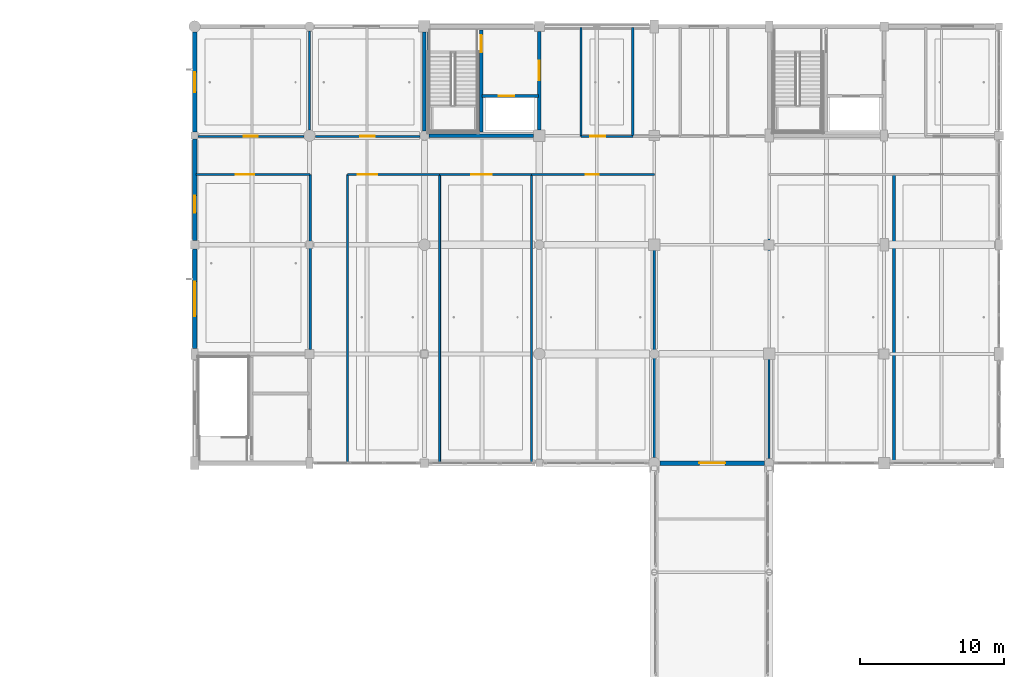
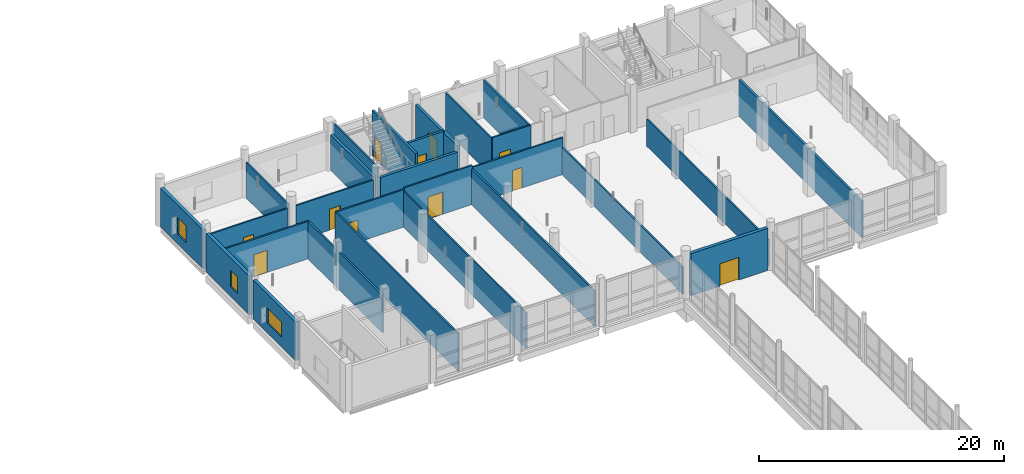
# One storey, part 94 of 147: 27 walls, 11 doors, 3 windows, 14 openings.
"""IFC4 building model written with IfcOpenShell, lengths in metres."""

import ifcopenshell
import ifcopenshell.guid

model = None  # the IFC model being written
_history = None  # IfcOwnerHistory: only IFC2X3 demands one
_inside = {}  # id of a spatial element -> (the spatial element, [elements in it])
_under = {}  # id of a project, library or spatial element -> (it, [spatial elements below it])
_declared = {}  # id of a project -> (the project, [libraries it declares])
_typed = {}  # id of a type object -> (the type object, [elements of that type])
_made_of = {}  # id of a material, layer set ... -> (it, [elements and type objects made of it])


def new_model(schema):
    """Start an empty IFC model of exactly this schema.

    Asked for "IFC4X3", IfcOpenShell would pick the latest addendum, in which some entities
    have other attributes; the version numbers below select the first issue.
    IFC2X3 requires an IfcOwnerHistory on every rooted entity: one is made here for all.
    """
    global model, _history
    if schema == "IFC4X3":
        model = ifcopenshell.file(schema_version=(4, 3, 0, 0))
    else:
        model = ifcopenshell.file(schema=schema)
    _inside.clear()
    _under.clear()
    _declared.clear()
    _typed.clear()
    _made_of.clear()
    _history = None
    if model.schema == "IFC2X3":
        org = make("IfcOrganization", Name="unknown")
        user = make(
            "IfcPersonAndOrganization",
            ThePerson=make("IfcPerson", FamilyName="unknown"),
            TheOrganization=org,
        )
        app = make(
            "IfcApplication",
            ApplicationDeveloper=org,
            Version="unknown",
            ApplicationFullName="unknown",
            ApplicationIdentifier="unknown",
        )
        _history = make(
            "IfcOwnerHistory",
            OwningUser=user,
            OwningApplication=app,
            ChangeAction="ADDED",
            CreationDate=0,
        )
    return model


def make(cls, **values):
    """One entity of the class cls with the attributes given. An attribute that is None is left unset."""
    return model.create_entity(
        cls, **{name: value for name, value in values.items() if value is not None}
    )


def rooted(cls, **values):
    """An entity with a GlobalId (a new one), such as an element, a storey or a relation."""
    return make(cls, GlobalId=ifcopenshell.guid.new(), OwnerHistory=_history, **values)


def si_unit(unit_type, name, prefix=None):
    """IfcSIUnit, for example si_unit("LENGTHUNIT", "METRE", prefix="MILLI")."""
    return make("IfcSIUnit", UnitType=unit_type, Prefix=prefix, Name=name)


def assignment(units):
    """IfcUnitAssignment: the units of a project."""
    return None if units is None else make("IfcUnitAssignment", Units=units)


def point(xyz):
    """IfcCartesianPoint."""
    return None if xyz is None else make("IfcCartesianPoint", Coordinates=xyz)


def direction(xyz):
    """IfcDirection."""
    return None if xyz is None else make("IfcDirection", DirectionRatios=xyz)


def frame(location, z_axis=None, x_axis=None):
    """IfcAxis2Placement3D, a coordinate frame: its origin and axes. An axis left out is left unset."""
    return make(
        "IfcAxis2Placement3D",
        Location=point(location),
        Axis=direction(z_axis),
        RefDirection=direction(x_axis),
    )


def frame_2d(location, x_axis=None):
    """IfcAxis2Placement2D, a coordinate frame in the plane: its origin and x axis."""
    return make(
        "IfcAxis2Placement2D", Location=point(location), RefDirection=direction(x_axis)
    )


def origin():
    """The frame at (0, 0, 0) with its axes left unset."""
    return frame((0.0, 0.0, 0.0))


def place(relative_to, where):
    """IfcLocalPlacement: puts the frame where relative to a parent placement (None: the world)."""
    return make(
        "IfcLocalPlacement", PlacementRelTo=relative_to, RelativePlacement=where
    )


def context(
    kind, dimensions, precision=None, world=None, true_north=None, identifier=None
):
    """IfcGeometricRepresentationContext, for example the 3D "Model" context."""
    return make(
        "IfcGeometricRepresentationContext",
        ContextIdentifier=identifier,
        ContextType=kind,
        CoordinateSpaceDimension=dimensions,
        Precision=precision,
        WorldCoordinateSystem=world,
        TrueNorth=true_north,
    )


def subcontext(parent, identifier, kind, view, scale=None):
    """IfcGeometricRepresentationSubContext, for example "Body" below "Model"."""
    return make(
        "IfcGeometricRepresentationSubContext",
        ContextIdentifier=identifier,
        ContextType=kind,
        ParentContext=parent,
        TargetScale=scale,
        TargetView=view,
    )


def project(units=None, contexts=None):
    """IfcProject with its units and contexts."""
    return rooted(
        "IfcProject",
        Name="project",
        RepresentationContexts=contexts,
        UnitsInContext=assignment(units),
    )


def spatial(cls, under=None, at=None, **own):
    """A site, building, storey or space (cls), placed at a placement, below another one or the project."""
    s = rooted(cls, ObjectPlacement=at, **own)
    if under is not None:
        _under.setdefault(under.id(), (under, []))[1].append(s)
    return s


def profile(cls, at=None, kind="AREA", **sizes):
    """A parametric profile (cls). Its sizes go by their IFC names, for example OverallWidth=200.0."""
    return make(cls, ProfileType=kind, Position=at, **sizes)


def rectangle(**sizes):
    """IfcRectangleProfileDef."""
    return profile("IfcRectangleProfileDef", **sizes)


def extrude(swept, where, along, depth):
    """IfcExtrudedAreaSolid: the profile swept, set in the frame where, extruded along a direction by depth."""
    return make(
        "IfcExtrudedAreaSolid",
        SweptArea=swept,
        Position=where,
        ExtrudedDirection=direction(along),
        Depth=depth,
    )


def shape(context_of_items, identifier, shape_type, items):
    """IfcShapeRepresentation: the items that make up one representation, for example the "Body"."""
    return make(
        "IfcShapeRepresentation",
        ContextOfItems=context_of_items,
        RepresentationIdentifier=identifier,
        RepresentationType=shape_type,
        Items=items,
    )


def material(Name=None, Category=None):
    """IfcMaterial."""
    return make("IfcMaterial", Name=Name, Category=Category)


def layer(
    of_material, thickness, ventilated=None, Name=None, Category=None, Priority=None
):
    """IfcMaterialLayer: one layer of a wall or slab, of a material (None: an air gap)."""
    return make(
        "IfcMaterialLayer",
        Material=of_material,
        LayerThickness=thickness,
        IsVentilated=ventilated,
        Name=Name,
        Category=Category,
        Priority=Priority,
    )


def layer_set(layers, Name=None):
    """IfcMaterialLayerSet."""
    return make("IfcMaterialLayerSet", MaterialLayers=layers, LayerSetName=Name)


def made_of(thing, what):
    """Note that an element or type object is made of a material, layer set ...; save() writes the relation."""
    if what is not None:
        _made_of.setdefault(what.id(), (what, []))[1].append(thing)
    return thing


def type_object(cls, material=None, **own):
    """A type object (cls), such as IfcWallType, which elements share."""
    return made_of(rooted(cls, **own), material)


def element(
    cls,
    number,
    at=None,
    inside=None,
    cuts=None,
    type_object=None,
    material=None,
    context=None,
    identifier="Body",
    shape_type=None,
    held_by="IfcProductDefinitionShape",
    body=None,
    shapes=None,
    **own,
):
    """One element of the class cls, such as IfcWall. Its Tag is "e" and its number.

    at: its placement. inside: the storey or other place that contains it. cuts: it is an
    opening in that element (IfcRelVoidsElement). A single representation is given by context,
    identifier, shape_type and body (its items); several are given by shapes. held_by: the class
    of the entity that holds the representations. save() writes the other relations.
    """
    e = rooted(cls, Tag="e%d" % number, ObjectPlacement=at, **own)
    if body is not None:
        shapes = [shape(context, identifier, shape_type, body)]
    if shapes is not None:
        e.Representation = make(held_by, Representations=shapes)
    if inside is not None:
        _inside.setdefault(inside.id(), (inside, []))[1].append(e)
    if cuts is not None:
        rooted(
            "IfcRelVoidsElement", RelatingBuildingElement=cuts, RelatedOpeningElement=e
        )
    if type_object is not None:
        _typed.setdefault(type_object.id(), (type_object, []))[1].append(e)
    return made_of(e, material)


def fill(opening, filler):
    """IfcRelFillsElement: the door or window that sits in an opening."""
    return rooted(
        "IfcRelFillsElement",
        RelatingOpeningElement=opening,
        RelatedBuildingElement=filler,
    )


def aggregate(whole, parts):
    """IfcRelAggregates: a whole, such as a stair, and the parts it consists of."""
    return rooted("IfcRelAggregates", RelatingObject=whole, RelatedObjects=parts)


def save(model, path):
    """Write the relations noted so far, then the file.

    IfcRelAggregates (storeys below a building ...), IfcRelContainedInSpatialStructure (elements
    in a storey), IfcRelDefinesByType, IfcRelAssociatesMaterial and IfcRelDeclares: one each for
    every whole, place, type object, material and project.
    """
    for whole, parts in _under.values():
        aggregate(whole, parts)
    for where, things in _inside.values():
        rooted(
            "IfcRelContainedInSpatialStructure",
            RelatedElements=things,
            RelatingStructure=where,
        )
    for kind, things in _typed.values():
        rooted("IfcRelDefinesByType", RelatedObjects=things, RelatingType=kind)
    for what, things in _made_of.values():
        rooted("IfcRelAssociatesMaterial", RelatedObjects=things, RelatingMaterial=what)
    for by, libraries in _declared.values():
        rooted("IfcRelDeclares", RelatingContext=by, RelatedDefinitions=libraries)
    model.write(path)


model = new_model("IFC4")

# Units and contexts
model_context = context("Model", 3, precision=1e-05, world=origin(), true_north=direction((0.0, 1.0)))
body_context = subcontext(model_context, "Body", "Model", "MODEL_VIEW")
ifc_project = project(units=[si_unit("LENGTHUNIT", "METRE"), si_unit("AREAUNIT", "SQUARE_METRE"), si_unit("VOLUMEUNIT", "CUBIC_METRE"), si_unit("PLANEANGLEUNIT", "RADIAN"), si_unit("MASSUNIT", "GRAM", prefix="KILO")], contexts=[model_context])

# Site, building, storey
site_placement = place(None, origin())
site = spatial("IfcSite", under=ifc_project, at=site_placement, CompositionType="ELEMENT")
building_placement = place(site_placement, origin())
building = spatial("IfcBuilding", under=site, at=building_placement, Name="Khelvaren Railside Concert Hall", CompositionType="ELEMENT")
storey_placement = place(building_placement, frame((0.0, 0.0, 5.39990234375)))
storey = spatial("IfcBuildingStorey", under=building, at=storey_placement, Name="L01", CompositionType="ELEMENT", Elevation=5.39990234375)

# Walls
ifc_material_1 = material(Name="Concrete C40/50", Category="concrete")
ifc_layer_1 = layer(ifc_material_1, 0.139892578125)
ifc_layer_set_1 = layer_set([ifc_layer_1], Name="Concrete C40/50")
wall_type_1 = type_object("IfcWallType", Name="CW17", PredefinedType="SOLIDWALL", material=ifc_layer_set_1)
wall_1_placement = place(storey_placement, frame((144.27490234375, 106.550048828125, 0.0), z_axis=(0.0, 0.0, 1.0), x_axis=(0.0, 1.0, 0.0)))
element("IfcWall", 1, at=wall_1_placement, inside=storey, type_object=wall_type_1, Name="Core Shaft Structural Liner Wall ST-09-L01", PredefinedType="SOLIDWALL", context=body_context, shape_type="SweptSolid", body=[
    extrude(rectangle(XDim=7.300048828125, YDim=0.139892578125, at=frame_2d((3.64990234375, 0.0))), origin(), (0.0, 0.0, 1.0), 4.510009765625),
])
ifc_layer_2 = layer(ifc_material_1, 0.25)
ifc_layer_set_2 = layer_set([ifc_layer_2], Name="Concrete C40/50")
wall_type_2 = type_object("IfcWallType", Name="CW82", PredefinedType="SOLIDWALL", material=ifc_layer_set_2)
wall_2_placement = place(storey_placement, frame((144.0, 106.72509765625, 0.0), z_axis=(0.0, 0.0, 1.0), x_axis=(0.0, 1.0, 0.0)))
element("IfcWall", 2, at=wall_2_placement, inside=storey, type_object=wall_type_2, Name="Core Enclosure Wall CWALL-ST-09-L01-W", PredefinedType="SOLIDWALL", context=body_context, shape_type="SweptSolid", body=[
    extrude(rectangle(XDim=6.875, YDim=0.25, at=frame_2d((3.4375, 0.0))), origin(), (0.0, 0.0, 1.0), 3.550048828125),
])
wall_3_placement = place(storey_placement, frame((144.324951171875, 106.39990234375, 0.0), z_axis=(0.0, 0.0, 1.0), x_axis=(1.0, 0.0, 0.0)))
element("IfcWall", 3, at=wall_3_placement, inside=storey, type_object=wall_type_2, Name="Core Enclosure Wall CWALL-ST-09-L01-S", PredefinedType="SOLIDWALL", context=body_context, shape_type="SweptSolid", body=[
    extrude(rectangle(XDim=7.275146484375, YDim=0.25, at=frame_2d((3.6376953125, 0.0))), origin(), (0.0, 0.0, 1.0), 3.550048828125),
])

# Wall, opening, door
wall_4_placement = place(storey_placement, frame((152.0, 106.800048828125, 0.0), z_axis=(0.0, 0.0, 1.0), x_axis=(0.0, 1.0, 0.0)))
wall_4 = element("IfcWall", 4, at=wall_4_placement, inside=storey, type_object=wall_type_2, Name="Core Enclosure Wall CWALL-ST-09-L01-E", PredefinedType="SOLIDWALL", context=body_context, shape_type="SweptSolid", body=[
    extrude(rectangle(XDim=6.849853515625, YDim=0.25, at=frame_2d((3.4248046875, 0.0))), origin(), (0.0, 0.0, 1.0), 3.735107421875),
])
opening_1_placement = place(wall_4_placement, frame((3.449951171875, 0.0, 0.0)))
opening_1 = element("IfcOpeningElement", 5, at=opening_1_placement, cuts=wall_4, Name="Opening FDR34", PredefinedType="OPENING", context=body_context, shape_type="SweptSolid", body=[
    extrude(rectangle(XDim=1.35009765625, YDim=2.199951171875, at=frame_2d((0.675048828125, 1.10009765625))), frame((0.0, 0.135009765625, 0.0), z_axis=(0.0, -1.0, 0.0), x_axis=(1.0, 0.0, 0.0)), (0.0, 0.0, 1.0), 0.27001953125),
])
ifc_material_2 = material(Name="Acoustic fire-rated timber-core steel frame door", Category="steel")
door_type_1 = type_object("IfcDoorType", Name="FDR34", OperationType="NOTDEFINED", PredefinedType="DOOR", material=ifc_material_2)
door_1_placement = place(opening_1_placement, origin())
door_1 = element("IfcDoor", 6, at=door_1_placement, inside=storey, type_object=door_type_1, Name="Interior Door DR-ST-09-L01-LOB", OperationType="SINGLE_SWING_LEFT", OverallHeight=2.199951171875, OverallWidth=1.35009765625, PredefinedType="DOOR", context=body_context, shape_type="SweptSolid", body=[
    extrude(rectangle(XDim=1.35009765625, YDim=2.199951171875, at=frame_2d((0.675048828125, 1.10009765625))), frame((0.0, 0.02490234375, 0.0), z_axis=(0.0, -1.0, 0.0), x_axis=(1.0, 0.0, 0.0)), (0.0, 0.0, 1.0), 0.050048828125),
])
fill(opening_1, door_1)

ifc_layer_3 = layer(ifc_material_1, 0.219970703125)
ifc_layer_set_3 = layer_set([ifc_layer_3], Name="Concrete C40/50")
wall_type_3 = type_object("IfcWallType", Name="CW97", PredefinedType="SOLIDWALL", material=ifc_layer_set_3)
wall_5_placement = place(storey_placement, frame((147.949951171875, 106.64990234375, 0.0), z_axis=(0.0, 0.0, 1.0), x_axis=(0.0, 1.0, 0.0)))
wall_5 = element("IfcWall", 7, at=wall_5_placement, inside=storey, type_object=wall_type_3, Name="Core Enclosure Wall CWALL-ST-09-L01-MID", PredefinedType="SOLIDWALL", context=body_context, shape_type="SweptSolid", body=[
    extrude(rectangle(XDim=7.10009765625, YDim=0.219970703125, at=frame_2d((3.550048828125, 0.0))), origin(), (0.0, 0.0, 1.0), 4.510009765625),
])
opening_2_placement = place(wall_5_placement, frame((5.550048828125, 0.0, 0.0)))
opening_2 = element("IfcOpeningElement", 8, at=opening_2_placement, cuts=wall_5, Name="Opening FDR17", PredefinedType="OPENING", context=body_context, shape_type="SweptSolid", body=[
    extrude(rectangle(XDim=1.199951171875, YDim=2.14990234375, at=frame_2d((0.60009765625, 1.074951171875))), frame((0.0, 0.119873046875, 0.0), z_axis=(0.0, -1.0, 0.0), x_axis=(1.0, 0.0, 0.0)), (0.0, 0.0, 1.0), 0.239990234375),
])
door_type_2 = type_object("IfcDoorType", Name="FDR17", OperationType="NOTDEFINED", PredefinedType="DOOR", material=ifc_material_2)
door_2_placement = place(opening_2_placement, origin())
door_2 = element("IfcDoor", 9, at=door_2_placement, inside=storey, type_object=door_type_2, Name="Interior Door DR-ST-09-L01-ST", OperationType="SINGLE_SWING_RIGHT", OverallHeight=2.14990234375, OverallWidth=1.199951171875, PredefinedType="DOOR", context=body_context, shape_type="SweptSolid", body=[
    extrude(rectangle(XDim=1.199951171875, YDim=2.14990234375, at=frame_2d((0.60009765625, 1.074951171875))), frame((0.0, 0.02490234375, 0.0), z_axis=(0.0, -1.0, 0.0), x_axis=(1.0, 0.0, 0.0)), (0.0, 0.0, 1.0), 0.050048828125),
])
fill(opening_2, door_2)

wall_6_placement = place(storey_placement, frame((148.02001953125, 109.14990234375, 0.0), z_axis=(0.0, 0.0, 1.0), x_axis=(1.0, 0.0, 0.0)))
wall_6 = element("IfcWall", 10, at=wall_6_placement, inside=storey, type_object=wall_type_3, Name="Core Enclosure Wall CWALL-ST-09-L01-SHF", PredefinedType="SOLIDWALL", context=body_context, shape_type="SweptSolid", body=[
    extrude(rectangle(XDim=3.929931640625, YDim=0.219970703125, at=frame_2d((1.96484375, 0.0))), origin(), (0.0, 0.0, 1.0), 3.860107421875),
])
opening_3_placement = place(wall_6_placement, frame((1.14990234375, 0.0, 0.0)))
opening_3 = element("IfcOpeningElement", 11, at=opening_3_placement, cuts=wall_6, Name="Opening LD-FL-02", PredefinedType="OPENING", context=body_context, shape_type="SweptSolid", body=[
    extrude(rectangle(XDim=1.10009765625, YDim=2.199951171875, at=frame_2d((0.550048828125, 1.10009765625))), frame((0.0, 0.119873046875, 0.0), z_axis=(0.0, -1.0, 0.0), x_axis=(1.0, 0.0, 0.0)), (0.0, 0.0, 1.0), 0.239990234375),
])
ifc_material_3 = material(Name="Fire-rated brushed stainless steel landing door", Category="steel")
door_type_3 = type_object("IfcDoorType", Name="LD96", OperationType="DOUBLE_DOOR_SLIDING", PredefinedType="DOOR", material=ifc_material_3)
door_3_placement = place(opening_3_placement, origin())
door_3 = element("IfcDoor", 12, at=door_3_placement, inside=storey, type_object=door_type_3, Name="Lift Landing Door LD-FL-02-L01", OperationType="DOUBLE_DOOR_SLIDING", OverallHeight=2.199951171875, OverallWidth=1.10009765625, PredefinedType="DOOR", context=body_context, shape_type="SweptSolid", body=[
    extrude(rectangle(XDim=1.10009765625, YDim=2.199951171875, at=frame_2d((0.550048828125, 1.10009765625))), frame((0.0, 0.02490234375, 0.0), z_axis=(0.0, -1.0, 0.0), x_axis=(1.0, 0.0, 0.0)), (0.0, 0.0, 1.0), 0.050048828125),
])
fill(opening_3, door_3)

ifc_material_4 = material(Name="Board-marked architectural concrete C40/50", Category="concrete")
ifc_layer_4 = layer(ifc_material_4, 0.300048828125)
ifc_layer_set_4 = layer_set([ifc_layer_4], Name="Board-marked architectural concrete C40/50")
wall_type_4 = type_object("IfcWallType", Name="EW54", PredefinedType="SOLIDWALL", material=ifc_layer_set_4)
wall_7_placement = place(storey_placement, frame((167.675048828125, 83.60009765625, 0.0), z_axis=(0.0, 0.0, 1.0), x_axis=(-1.0, 0.0, 0.0)))
wall_7 = element("IfcWall", 13, at=wall_7_placement, inside=storey, type_object=wall_type_4, Name="V5 L01 Bridge Portal Wall S", PredefinedType="SOLIDWALL", context=body_context, shape_type="SweptSolid", body=[
    extrude(rectangle(XDim=7.275146484375, YDim=0.300048828125, at=frame_2d((3.6376953125, 0.0))), origin(), (0.0, 0.0, 1.0), 4.2001953125),
])
opening_4_placement = place(wall_7_placement, frame((2.737548828125, 0.0, 0.0)))
opening_4 = element("IfcOpeningElement", 14, at=opening_4_placement, cuts=wall_7, Name="Opening DR64", PredefinedType="OPENING", context=body_context, shape_type="SweptSolid", body=[
    extrude(rectangle(XDim=1.800048828125, YDim=2.25, at=frame_2d((0.89990234375, 1.125))), frame((0.0, 0.159912109375, 0.0), z_axis=(0.0, -1.0, 0.0), x_axis=(1.0, 0.0, 0.0)), (0.0, 0.0, 1.0), 0.320068359375),
])
ifc_material_5 = material(Name="Glazed fire-rated steel frame door", Category="steel")
door_type_4 = type_object("IfcDoorType", Name="DR64", OperationType="DOUBLE_DOOR_SINGLE_SWING", PredefinedType="DOOR", material=ifc_material_5)
door_4_placement = place(opening_4_placement, origin())
door_4 = element("IfcDoor", 15, at=door_4_placement, inside=storey, type_object=door_type_4, Name="V5 L01 Link Bridge Portal Door", OperationType="DOUBLE_DOOR_SINGLE_SWING", OverallHeight=2.25, OverallWidth=1.800048828125, PredefinedType="DOOR", context=body_context, shape_type="SweptSolid", body=[
    extrude(rectangle(XDim=1.800048828125, YDim=2.25, at=frame_2d((0.89990234375, 1.125))), frame((0.0, 0.02490234375, 0.0), z_axis=(0.0, -1.0, 0.0), x_axis=(1.0, 0.0, 0.0)), (0.0, 0.0, 1.0), 0.050048828125),
])
fill(opening_4, door_4)

# Wall, opening, window
wall_8_placement = place(storey_placement, frame((128.0, 91.574951171875, 0.0), z_axis=(0.0, 0.0, 1.0), x_axis=(0.0, 1.0, 0.0)))
wall_8 = element("IfcWall", 16, at=wall_8_placement, inside=storey, type_object=wall_type_4, Name="V5 L01 Exterior Concrete Wall W-91", PredefinedType="SOLIDWALL", context=body_context, shape_type="SweptSolid", body=[
    extrude(rectangle(XDim=6.925048828125, YDim=0.300048828125, at=frame_2d((3.46240234375, 0.0))), origin(), (0.0, 0.0, 1.0), 3.85009765625),
])
opening_5_placement = place(wall_8_placement, frame((2.262451171875, 0.0, 0.949951171875)))
opening_5 = element("IfcOpeningElement", 17, at=opening_5_placement, cuts=wall_8, Name="Opening WN26", PredefinedType="OPENING", context=body_context, shape_type="SweptSolid", body=[
    extrude(rectangle(XDim=2.39990234375, YDim=1.5, at=frame_2d((1.199951171875, 0.75))), frame((0.0, 0.159912109375, 0.0), z_axis=(0.0, -1.0, 0.0), x_axis=(1.0, 0.0, 0.0)), (0.0, 0.0, 1.0), 0.320068359375),
])
ifc_material_6 = material(Name="Triple-glazed acoustic aluminium window", Category="aluminium")
window_type_1 = type_object("IfcWindowType", Name="WN26", PartitioningType="DOUBLE_PANEL_VERTICAL", PredefinedType="WINDOW", material=ifc_material_6)
window_1_placement = place(opening_5_placement, origin())
window_1 = element("IfcWindow", 18, at=window_1_placement, inside=storey, type_object=window_type_1, Name="Acoustic Facade Window EW-V5-L01-W-91", OverallHeight=1.5, OverallWidth=2.39990234375, PartitioningType="DOUBLE_PANEL_VERTICAL", PredefinedType="WINDOW", context=body_context, shape_type="SweptSolid", body=[
    extrude(rectangle(XDim=2.39990234375, YDim=1.5, at=frame_2d((1.199951171875, 0.75))), frame((0.0, 0.030029296875, 0.0), z_axis=(0.0, -1.0, 0.0), x_axis=(1.0, 0.0, 0.0)), (0.0, 0.0, 1.0), 0.06005859375),
])
fill(opening_5, window_1)

wall_9_placement = place(storey_placement, frame((128.0, 99.10009765625, 0.0), z_axis=(0.0, 0.0, 1.0), x_axis=(0.0, 1.0, 0.0)))
wall_9 = element("IfcWall", 19, at=wall_9_placement, inside=storey, type_object=wall_type_4, Name="V5 L01 Exterior Concrete Wall W-99", PredefinedType="SOLIDWALL", context=body_context, shape_type="SweptSolid", body=[
    extrude(rectangle(XDim=7.0498046875, YDim=0.300048828125, at=frame_2d((3.52490234375, 0.0))), origin(), (0.0, 0.0, 1.0), 3.85009765625),
])
opening_6_placement = place(wall_9_placement, frame((1.925048828125, 0.0, 0.949951171875)))
opening_6 = element("IfcOpeningElement", 20, at=opening_6_placement, cuts=wall_9, Name="Opening WN89", PredefinedType="OPENING", context=body_context, shape_type="SweptSolid", body=[
    extrude(rectangle(XDim=1.199951171875, YDim=1.64990234375, at=frame_2d((0.60009765625, 0.824951171875))), frame((0.0, 0.159912109375, 0.0), z_axis=(0.0, -1.0, 0.0), x_axis=(1.0, 0.0, 0.0)), (0.0, 0.0, 1.0), 0.320068359375),
])
window_type_2 = type_object("IfcWindowType", Name="WN89", PartitioningType="SINGLE_PANEL", PredefinedType="WINDOW", material=ifc_material_6)
window_2_placement = place(opening_6_placement, origin())
window_2 = element("IfcWindow", 21, at=window_2_placement, inside=storey, type_object=window_type_2, Name="Acoustic Facade Window EW-V5-L01-W-99", OverallHeight=1.64990234375, OverallWidth=1.199951171875, PartitioningType="SINGLE_PANEL", PredefinedType="WINDOW", context=body_context, shape_type="SweptSolid", body=[
    extrude(rectangle(XDim=1.199951171875, YDim=1.64990234375, at=frame_2d((0.60009765625, 0.824951171875))), frame((0.0, 0.030029296875, 0.0), z_axis=(0.0, -1.0, 0.0), x_axis=(1.0, 0.0, 0.0)), (0.0, 0.0, 1.0), 0.06005859375),
])
fill(opening_6, window_2)

wall_10_placement = place(storey_placement, frame((128.0, 106.64990234375, 0.0), z_axis=(0.0, 0.0, 1.0), x_axis=(0.0, 1.0, 0.0)))
wall_10 = element("IfcWall", 22, at=wall_10_placement, inside=storey, type_object=wall_type_4, Name="V5 L01 Exterior Concrete Wall W-106", PredefinedType="SOLIDWALL", context=body_context, shape_type="SweptSolid", body=[
    extrude(rectangle(XDim=6.9501953125, YDim=0.300048828125, at=frame_2d((3.47509765625, 0.0))), origin(), (0.0, 0.0, 1.0), 3.85009765625),
])
opening_7_placement = place(wall_10_placement, frame((2.77490234375, 0.0, 0.949951171875)))
opening_7 = element("IfcOpeningElement", 23, at=opening_7_placement, cuts=wall_10, Name="Opening WN11", PredefinedType="OPENING", context=body_context, shape_type="SweptSolid", body=[
    extrude(rectangle(XDim=1.39990234375, YDim=1.64990234375, at=frame_2d((0.699951171875, 0.824951171875))), frame((0.0, 0.159912109375, 0.0), z_axis=(0.0, -1.0, 0.0), x_axis=(1.0, 0.0, 0.0)), (0.0, 0.0, 1.0), 0.320068359375),
])
window_type_3 = type_object("IfcWindowType", Name="WN11", PartitioningType="SINGLE_PANEL", PredefinedType="WINDOW", material=ifc_material_6)
window_3_placement = place(opening_7_placement, origin())
window_3 = element("IfcWindow", 24, at=window_3_placement, inside=storey, type_object=window_type_3, Name="Acoustic Facade Window EW-V5-L01-W-106", OverallHeight=1.64990234375, OverallWidth=1.39990234375, PartitioningType="SINGLE_PANEL", PredefinedType="WINDOW", context=body_context, shape_type="SweptSolid", body=[
    extrude(rectangle(XDim=1.39990234375, YDim=1.64990234375, at=frame_2d((0.699951171875, 0.824951171875))), frame((0.0, 0.030029296875, 0.0), z_axis=(0.0, -1.0, 0.0), x_axis=(1.0, 0.0, 0.0)), (0.0, 0.0, 1.0), 0.06005859375),
])
fill(opening_7, window_3)

# Wall, opening, door
ifc_material_7 = material(Name="Acoustic double-stud gypsum partition", Category="gypsum")
ifc_layer_5 = layer(ifc_material_7, 0.159912109375)
ifc_layer_set_5 = layer_set([ifc_layer_5], Name="Acoustic double-stud gypsum partition")
wall_type_5 = type_object("IfcWallType", Name="PT19", PredefinedType="PARTITIONING", material=ifc_layer_set_5)
wall_11_placement = place(storey_placement, frame((128.080078125, 103.699951171875, 0.0), z_axis=(0.0, 0.0, 1.0), x_axis=(1.0, 0.0, 0.0)))
wall_11 = element("IfcWall", 25, at=wall_11_placement, inside=storey, type_object=wall_type_5, Name="Acoustic Partition Wall PW-V5-L01-DOCKUP-N", PredefinedType="PARTITIONING", context=body_context, shape_type="SweptSolid", body=[
    extrude(rectangle(XDim=7.969970703125, YDim=0.159912109375, at=frame_2d((3.98486328125, 0.0))), origin(), (0.0, 0.0, 1.0), 3.735107421875),
])
opening_8_placement = place(wall_11_placement, frame((2.800048828125, 0.0, 0.0)))
opening_8 = element("IfcOpeningElement", 26, at=opening_8_placement, cuts=wall_11, Name="Opening IDR64", PredefinedType="OPENING", context=body_context, shape_type="SweptSolid", body=[
    extrude(rectangle(XDim=1.260009765625, YDim=2.199951171875, at=frame_2d((0.6298828125, 1.10009765625))), frame((0.0, 0.08984375, 0.0), z_axis=(0.0, -1.0, 0.0), x_axis=(1.0, 0.0, 0.0)), (0.0, 0.0, 1.0), 0.179931640625),
])
ifc_material_8 = material(Name="Solid oak acoustic studio door", Category="wood")
door_type_5 = type_object("IfcDoorType", Name="IDR64", OperationType="NOTDEFINED", PredefinedType="DOOR", material=ifc_material_8)
door_5_placement = place(opening_8_placement, origin())
door_5 = element("IfcDoor", 27, at=door_5_placement, inside=storey, type_object=door_type_5, Name="Interior Door DR-V5-L01-DOCKUP", OperationType="SINGLE_SWING_LEFT", OverallHeight=2.199951171875, OverallWidth=1.260009765625, PredefinedType="DOOR", context=body_context, shape_type="SweptSolid", body=[
    extrude(rectangle(XDim=1.260009765625, YDim=2.199951171875, at=frame_2d((0.6298828125, 1.10009765625))), frame((0.0, 0.02490234375, 0.0), z_axis=(0.0, -1.0, 0.0), x_axis=(1.0, 0.0, 0.0)), (0.0, 0.0, 1.0), 0.050048828125),
])
fill(opening_8, door_5)

# Walls
wall_12_placement = place(storey_placement, frame((136.050048828125, 91.5, 0.0), z_axis=(0.0, 0.0, 1.0), x_axis=(0.0, 1.0, 0.0)))
element("IfcWall", 28, at=wall_12_placement, inside=storey, type_object=wall_type_5, Name="Acoustic Partition Wall PW-V5-L01-DOCKUP-E", PredefinedType="PARTITIONING", context=body_context, shape_type="SweptSolid", body=[
    extrude(rectangle(XDim=12.199951171875, YDim=0.159912109375, at=frame_2d((6.10009765625, 0.0))), origin(), (0.0, 0.0, 1.0), 3.735107421875),
])
ifc_layer_6 = layer(ifc_material_7, 0.1298828125)
ifc_layer_set_6 = layer_set([ifc_layer_6], Name="Acoustic double-stud gypsum partition")
wall_type_6 = type_object("IfcWallType", Name="PT31", PredefinedType="PARTITIONING", material=ifc_layer_set_6)
wall_13_placement = place(storey_placement, frame((145.054931640625, 83.679931640625, 0.0), z_axis=(0.0, 0.0, 1.0), x_axis=(0.0, 1.0, 0.0)))
element("IfcWall", 29, at=wall_13_placement, inside=storey, type_object=wall_type_6, Name="Acoustic Partition Wall PW-V5-L01-S1-D01", PredefinedType="PARTITIONING", context=body_context, shape_type="SweptSolid", body=[
    extrude(rectangle(XDim=20.02001953125, YDim=0.1298828125, at=frame_2d((10.010009765625, 0.0))), origin(), (0.0, 0.0, 1.0), 3.550048828125),
])
ifc_layer_7 = layer(ifc_material_7, 0.139892578125)
ifc_layer_set_7 = layer_set([ifc_layer_7], Name="Acoustic double-stud gypsum partition")
wall_type_7 = type_object("IfcWallType", Name="PT41", PredefinedType="PARTITIONING", material=ifc_layer_set_7)
wall_14_placement = place(storey_placement, frame((136.0, 106.800048828125, 0.0), z_axis=(0.0, 0.0, 1.0), x_axis=(0.0, 1.0, 0.0)))
element("IfcWall", 30, at=wall_14_placement, inside=storey, type_object=wall_type_7, Name="Acoustic Partition Wall PW-V5-L01-NW-D01", PredefinedType="PARTITIONING", context=body_context, shape_type="SweptSolid", body=[
    extrude(rectangle(XDim=6.875, YDim=0.139892578125, at=frame_2d((3.4375, 0.0))), origin(), (0.0, 0.0, 1.0), 3.550048828125),
])

# Wall, opening, door
ifc_layer_8 = layer(ifc_material_7, 0.139892578125)
ifc_layer_set_8 = layer_set([ifc_layer_8], Name="Acoustic double-stud gypsum partition")
wall_type_8 = type_object("IfcWallType", Name="PT55", PredefinedType="PARTITIONING", material=ifc_layer_set_8)
wall_15_placement = place(storey_placement, frame((128.25, 106.35009765625, 0.0), z_axis=(0.0, 0.0, 1.0), x_axis=(1.0, 0.0, 0.0)))
wall_15 = element("IfcWall", 31, at=wall_15_placement, inside=storey, type_object=wall_type_8, Name="Acoustic Partition Wall PW-V5-L01-NW-C01", PredefinedType="PARTITIONING", context=body_context, shape_type="SweptSolid", body=[
    extrude(rectangle(XDim=7.35009765625, YDim=0.139892578125, at=frame_2d((3.675048828125, 0.0))), origin(), (0.0, 0.0, 1.0), 3.550048828125),
])
opening_9_placement = place(wall_15_placement, frame((3.175048828125, 0.0, 0.0)))
opening_9 = element("IfcOpeningElement", 32, at=opening_9_placement, cuts=wall_15, Name="Opening IDR22", PredefinedType="OPENING", context=body_context, shape_type="SweptSolid", body=[
    extrude(rectangle(XDim=0.9599609375, YDim=2.10009765625, at=frame_2d((0.47998046875, 1.050048828125))), frame((0.0, 0.079833984375, 0.0), z_axis=(0.0, -1.0, 0.0), x_axis=(1.0, 0.0, 0.0)), (0.0, 0.0, 1.0), 0.159912109375),
])
door_type_6 = type_object("IfcDoorType", Name="IDR22", OperationType="NOTDEFINED", PredefinedType="DOOR", material=ifc_material_8)
door_6_placement = place(opening_9_placement, origin())
door_6 = element("IfcDoor", 33, at=door_6_placement, inside=storey, type_object=door_type_6, Name="Interior Door DR-V5-L01-NW-01", OperationType="SINGLE_SWING_LEFT", OverallHeight=2.10009765625, OverallWidth=0.9599609375, PredefinedType="DOOR", context=body_context, shape_type="SweptSolid", body=[
    extrude(rectangle(XDim=0.9599609375, YDim=2.10009765625, at=frame_2d((0.47998046875, 1.050048828125))), frame((0.0, 0.02490234375, 0.0), z_axis=(0.0, -1.0, 0.0), x_axis=(1.0, 0.0, 0.0)), (0.0, 0.0, 1.0), 0.050048828125),
])
fill(opening_9, door_6)

wall_16_placement = place(storey_placement, frame((136.39990234375, 106.35009765625, 0.0), z_axis=(0.0, 0.0, 1.0), x_axis=(1.0, 0.0, 0.0)))
wall_16 = element("IfcWall", 34, at=wall_16_placement, inside=storey, type_object=wall_type_8, Name="Acoustic Partition Wall PW-V5-L01-NW-C02", PredefinedType="PARTITIONING", context=body_context, shape_type="SweptSolid", body=[
    extrude(rectangle(XDim=7.275146484375, YDim=0.139892578125, at=frame_2d((3.6376953125, 0.0))), origin(), (0.0, 0.0, 1.0), 3.550048828125),
])
opening_10_placement = place(wall_16_placement, frame((3.137451171875, 0.0, 0.0)))
opening_10 = element("IfcOpeningElement", 35, at=opening_10_placement, cuts=wall_16, Name="Opening IDR87", PredefinedType="OPENING", context=body_context, shape_type="SweptSolid", body=[
    extrude(rectangle(XDim=1.02001953125, YDim=2.10009765625, at=frame_2d((0.510009765625, 1.050048828125))), frame((0.0, 0.079833984375, 0.0), z_axis=(0.0, -1.0, 0.0), x_axis=(1.0, 0.0, 0.0)), (0.0, 0.0, 1.0), 0.159912109375),
])
door_type_7 = type_object("IfcDoorType", Name="IDR87", OperationType="NOTDEFINED", PredefinedType="DOOR", material=ifc_material_8)
door_7_placement = place(opening_10_placement, origin())
door_7 = element("IfcDoor", 36, at=door_7_placement, inside=storey, type_object=door_type_7, Name="Interior Door DR-V5-L01-NW-02", OperationType="SINGLE_SWING_RIGHT", OverallHeight=2.10009765625, OverallWidth=1.02001953125, PredefinedType="DOOR", context=body_context, shape_type="SweptSolid", body=[
    extrude(rectangle(XDim=1.02001953125, YDim=2.10009765625, at=frame_2d((0.510009765625, 1.050048828125))), frame((0.0, 0.02490234375, 0.0), z_axis=(0.0, -1.0, 0.0), x_axis=(1.0, 0.0, 0.0)), (0.0, 0.0, 1.0), 0.050048828125),
])
fill(opening_10, door_7)

wall_17_placement = place(storey_placement, frame((154.89990234375, 106.35009765625, 0.0), z_axis=(0.0, 0.0, 1.0), x_axis=(1.0, 0.0, 0.0)))
wall_17 = element("IfcWall", 37, at=wall_17_placement, inside=storey, type_object=wall_type_8, Name="Acoustic Partition Wall PW-V5-L01-N-C01", PredefinedType="PARTITIONING", context=body_context, shape_type="SweptSolid", body=[
    extrude(rectangle(XDim=3.606201171875, YDim=0.139892578125, at=frame_2d((1.80322265625, 0.0))), origin(), (0.0, 0.0, 1.0), 3.835205078125),
])
opening_11_placement = place(wall_17_placement, frame((0.6533203125, 0.0, 0.0)))
opening_11 = element("IfcOpeningElement", 38, at=opening_11_placement, cuts=wall_17, Name="Opening IDR36", PredefinedType="OPENING", context=body_context, shape_type="SweptSolid", body=[
    extrude(rectangle(XDim=1.050048828125, YDim=2.10009765625, at=frame_2d((0.52490234375, 1.050048828125))), frame((0.0, 0.079833984375, 0.0), z_axis=(0.0, -1.0, 0.0), x_axis=(1.0, 0.0, 0.0)), (0.0, 0.0, 1.0), 0.159912109375),
])
door_type_8 = type_object("IfcDoorType", Name="IDR36", OperationType="NOTDEFINED", PredefinedType="DOOR", material=ifc_material_8)
door_8_placement = place(opening_11_placement, origin())
door_8 = element("IfcDoor", 39, at=door_8_placement, inside=storey, type_object=door_type_8, Name="Interior Door DR-V5-L01-N-01", OperationType="SINGLE_SWING_LEFT", OverallHeight=2.10009765625, OverallWidth=1.050048828125, PredefinedType="DOOR", context=body_context, shape_type="SweptSolid", body=[
    extrude(rectangle(XDim=1.050048828125, YDim=2.10009765625, at=frame_2d((0.52490234375, 1.050048828125))), frame((0.0, 0.02490234375, 0.0), z_axis=(0.0, -1.0, 0.0), x_axis=(1.0, 0.0, 0.0)), (0.0, 0.0, 1.0), 0.050048828125),
])
fill(opening_11, door_8)

# Walls
wall_18_placement = place(storey_placement, frame((154.89990234375, 106.35009765625, 0.0), z_axis=(0.0, 0.0, 1.0), x_axis=(0.0, 1.0, 0.0)))
element("IfcWall", 40, at=wall_18_placement, inside=storey, type_object=wall_type_8, Name="Acoustic Partition Wall PW-V5-L01-N-W0", PredefinedType="PARTITIONING", context=body_context, shape_type="SweptSolid", body=[
    extrude(rectangle(XDim=7.56982421875, YDim=0.139892578125, at=frame_2d((3.784912109375, 0.0))), origin(), (0.0, 0.0, 1.0), 3.735107421875),
])
ifc_layer_9 = layer(ifc_material_7, 0.14990234375)
ifc_layer_set_9 = layer_set([ifc_layer_9], Name="Acoustic double-stud gypsum partition")
wall_type_9 = type_object("IfcWallType", Name="PT66", PredefinedType="PARTITIONING", material=ifc_layer_set_9)
wall_19_placement = place(storey_placement, frame((151.4599609375, 83.679931640625, 0.0), z_axis=(0.0, 0.0, 1.0), x_axis=(0.0, 1.0, 0.0)))
element("IfcWall", 41, at=wall_19_placement, inside=storey, type_object=wall_type_9, Name="Acoustic Partition Wall PW-V5-L01-S1-D02", PredefinedType="PARTITIONING", context=body_context, shape_type="SweptSolid", body=[
    extrude(rectangle(XDim=20.02001953125, YDim=0.14990234375, at=frame_2d((10.010009765625, 0.0))), origin(), (0.0, 0.0, 1.0), 3.550048828125),
])

# Wall, opening, door
ifc_layer_10 = layer(ifc_material_7, 0.14990234375)
ifc_layer_set_10 = layer_set([ifc_layer_10], Name="Acoustic double-stud gypsum partition")
wall_type_10 = type_object("IfcWallType", Name="PT72", PredefinedType="PARTITIONING", material=ifc_layer_set_10)
wall_20_placement = place(storey_placement, frame((138.64990234375, 103.699951171875, 0.0), z_axis=(0.0, 0.0, 1.0), x_axis=(1.0, 0.0, 0.0)))
wall_20 = element("IfcWall", 42, at=wall_20_placement, inside=storey, type_object=wall_type_10, Name="Acoustic Partition Wall PW-V5-L01-S1-C01", PredefinedType="PARTITIONING", context=body_context, shape_type="SweptSolid", body=[
    extrude(rectangle(XDim=6.405029296875, YDim=0.14990234375, at=frame_2d((3.20263671875, 0.0))), origin(), (0.0, 0.0, 1.0), 3.735107421875),
])
opening_12_placement = place(wall_20_placement, frame((0.716552734375, 0.0, 0.0)))
opening_12 = element("IfcOpeningElement", 43, at=opening_12_placement, cuts=wall_20, Name="Opening IDR52", PredefinedType="OPENING", context=body_context, shape_type="SweptSolid", body=[
    extrude(rectangle(XDim=1.340087890625, YDim=2.199951171875, at=frame_2d((0.669921875, 1.10009765625))), frame((0.0, 0.0849609375, 0.0), z_axis=(0.0, -1.0, 0.0), x_axis=(1.0, 0.0, 0.0)), (0.0, 0.0, 1.0), 0.169921875),
])
door_type_9 = type_object("IfcDoorType", Name="IDR52", OperationType="NOTDEFINED", PredefinedType="DOOR", material=ifc_material_8)
door_9_placement = place(opening_12_placement, origin())
door_9 = element("IfcDoor", 44, at=door_9_placement, inside=storey, type_object=door_type_9, Name="Interior Door DR-V5-L01-S1-01", OperationType="SINGLE_SWING_RIGHT", OverallHeight=2.199951171875, OverallWidth=1.340087890625, PredefinedType="DOOR", context=body_context, shape_type="SweptSolid", body=[
    extrude(rectangle(XDim=1.340087890625, YDim=2.199951171875, at=frame_2d((0.669921875, 1.10009765625))), frame((0.0, 0.02490234375, 0.0), z_axis=(0.0, -1.0, 0.0), x_axis=(1.0, 0.0, 0.0)), (0.0, 0.0, 1.0), 0.050048828125),
])
fill(opening_12, door_9)

wall_21_placement = place(storey_placement, frame((145.054931640625, 103.699951171875, 0.0), z_axis=(0.0, 0.0, 1.0), x_axis=(1.0, 0.0, 0.0)))
wall_21 = element("IfcWall", 45, at=wall_21_placement, inside=storey, type_object=wall_type_10, Name="Acoustic Partition Wall PW-V5-L01-S1-C02", PredefinedType="PARTITIONING", context=body_context, shape_type="SweptSolid", body=[
    extrude(rectangle(XDim=6.405029296875, YDim=0.14990234375, at=frame_2d((3.20263671875, 0.0))), origin(), (0.0, 0.0, 1.0), 3.89501953125),
])
opening_13_placement = place(wall_21_placement, frame((2.2060546875, 0.0, 0.0)))
opening_13 = element("IfcOpeningElement", 46, at=opening_13_placement, cuts=wall_21, Name="Opening IDR61", PredefinedType="OPENING", context=body_context, shape_type="SweptSolid", body=[
    extrude(rectangle(XDim=1.419921875, YDim=2.199951171875, at=frame_2d((0.7099609375, 1.10009765625))), frame((0.0, 0.0849609375, 0.0), z_axis=(0.0, -1.0, 0.0), x_axis=(1.0, 0.0, 0.0)), (0.0, 0.0, 1.0), 0.169921875),
])
door_type_10 = type_object("IfcDoorType", Name="IDR61", OperationType="NOTDEFINED", PredefinedType="DOOR", material=ifc_material_8)
door_10_placement = place(opening_13_placement, origin())
door_10 = element("IfcDoor", 47, at=door_10_placement, inside=storey, type_object=door_type_10, Name="Interior Door DR-V5-L01-S1-02", OperationType="SINGLE_SWING_LEFT", OverallHeight=2.199951171875, OverallWidth=1.419921875, PredefinedType="DOOR", context=body_context, shape_type="SweptSolid", body=[
    extrude(rectangle(XDim=1.419921875, YDim=2.199951171875, at=frame_2d((0.7099609375, 1.10009765625))), frame((0.0, 0.02490234375, 0.0), z_axis=(0.0, -1.0, 0.0), x_axis=(1.0, 0.0, 0.0)), (0.0, 0.0, 1.0), 0.050048828125),
])
fill(opening_13, door_10)

wall_22_placement = place(storey_placement, frame((151.4599609375, 103.699951171875, 0.0), z_axis=(0.0, 0.0, 1.0), x_axis=(1.0, 0.0, 0.0)))
wall_22 = element("IfcWall", 48, at=wall_22_placement, inside=storey, type_object=wall_type_10, Name="Acoustic Partition Wall PW-V5-L01-S1-C03", PredefinedType="PARTITIONING", context=body_context, shape_type="SweptSolid", body=[
    extrude(rectangle(XDim=8.5400390625, YDim=0.14990234375, at=frame_2d((4.27001953125, 0.0))), origin(), (0.0, 0.0, 1.0), 3.68505859375),
])
opening_14_placement = place(wall_22_placement, frame((3.77001953125, 0.0, 0.0)))
opening_14 = element("IfcOpeningElement", 49, at=opening_14_placement, cuts=wall_22, Name="Opening IDR68", PredefinedType="OPENING", context=body_context, shape_type="SweptSolid", body=[
    extrude(rectangle(XDim=0.919921875, YDim=2.050048828125, at=frame_2d((0.4599609375, 1.02490234375))), frame((0.0, 0.0849609375, 0.0), z_axis=(0.0, -1.0, 0.0), x_axis=(1.0, 0.0, 0.0)), (0.0, 0.0, 1.0), 0.169921875),
])
door_type_11 = type_object("IfcDoorType", Name="IDR68", OperationType="NOTDEFINED", PredefinedType="DOOR", material=ifc_material_8)
door_11_placement = place(opening_14_placement, origin())
door_11 = element("IfcDoor", 50, at=door_11_placement, inside=storey, type_object=door_type_11, Name="Interior Door DR-V5-L01-S1-03", OperationType="SINGLE_SWING_RIGHT", OverallHeight=2.050048828125, OverallWidth=0.919921875, PredefinedType="DOOR", context=body_context, shape_type="SweptSolid", body=[
    extrude(rectangle(XDim=0.919921875, YDim=2.050048828125, at=frame_2d((0.4599609375, 1.02490234375))), frame((0.0, 0.02490234375, 0.0), z_axis=(0.0, -1.0, 0.0), x_axis=(1.0, 0.0, 0.0)), (0.0, 0.0, 1.0), 0.050048828125),
])
fill(opening_14, door_11)

# Walls
wall_23_placement = place(storey_placement, frame((138.64990234375, 83.679931640625, 0.0), z_axis=(0.0, 0.0, 1.0), x_axis=(0.0, 1.0, 0.0)))
element("IfcWall", 51, at=wall_23_placement, inside=storey, type_object=wall_type_10, Name="Acoustic Partition Wall PW-V5-L01-S1-W0", PredefinedType="PARTITIONING", context=body_context, shape_type="SweptSolid", body=[
    extrude(rectangle(XDim=20.02001953125, YDim=0.14990234375, at=frame_2d((10.010009765625, 0.0))), origin(), (0.0, 0.0, 1.0), 3.735107421875),
])
wall_24_placement = place(storey_placement, frame((160.0, 84.0, 0.0), z_axis=(0.0, 0.0, 1.0), x_axis=(0.0, 1.0, 0.0)))
element("IfcWall", 52, at=wall_24_placement, inside=storey, type_object=wall_type_10, Name="Acoustic Partition Wall PW-V5-L01-S1-E0", PredefinedType="PARTITIONING", context=body_context, shape_type="SweptSolid", body=[
    extrude(rectangle(XDim=19.699951171875, YDim=0.14990234375, at=frame_2d((9.85009765625, 0.0))), origin(), (0.0, 0.0, 1.0), 2.690185546875),
])
wall_25_placement = place(storey_placement, frame((168.0, 83.925048828125, 0.0), z_axis=(0.0, 0.0, 1.0), x_axis=(0.0, 1.0, 0.0)))
element("IfcWall", 53, at=wall_25_placement, inside=storey, type_object=wall_type_10, Name="Acoustic Partition Wall PW-V5-L01-S2-W0", PredefinedType="PARTITIONING", context=body_context, shape_type="SweptSolid", body=[
    extrude(rectangle(XDim=19.77490234375, YDim=0.14990234375, at=frame_2d((9.887451171875, 0.0))), origin(), (0.0, 0.0, 1.0), 2.690185546875),
])
ifc_layer_11 = layer(ifc_material_7, 0.199951171875)
ifc_layer_set_11 = layer_set([ifc_layer_11], Name="Acoustic double-stud gypsum partition")
wall_type_11 = type_object("IfcWallType", Name="PT75", PredefinedType="PARTITIONING", material=ifc_layer_set_11)
wall_26_placement = place(storey_placement, frame((176.68408203125, 83.679931640625, 0.0), z_axis=(0.0, 0.0, 1.0), x_axis=(0.0, 1.0, 0.0)))
element("IfcWall", 54, at=wall_26_placement, inside=storey, type_object=wall_type_11, Name="Acoustic Partition Wall PW-V5-L01-S2-D01", PredefinedType="PARTITIONING", context=body_context, shape_type="SweptSolid", body=[
    extrude(rectangle(XDim=20.02001953125, YDim=0.199951171875, at=frame_2d((10.010009765625, 0.0))), origin(), (0.0, 0.0, 1.0), 3.635009765625),
])
ifc_layer_12 = layer(ifc_material_7, 0.169921875)
ifc_layer_set_12 = layer_set([ifc_layer_12], Name="Acoustic double-stud gypsum partition")
wall_type_12 = type_object("IfcWallType", Name="PT94", PredefinedType="PARTITIONING", material=ifc_layer_set_12)
wall_27_placement = place(storey_placement, frame((158.506103515625, 106.35009765625, 0.0), z_axis=(0.0, 0.0, 1.0), x_axis=(0.0, 1.0, 0.0)))
element("IfcWall", 55, at=wall_27_placement, inside=storey, type_object=wall_type_12, Name="Acoustic Partition Wall PW-V5-L01-N-D01", PredefinedType="PARTITIONING", context=body_context, shape_type="SweptSolid", body=[
    extrude(rectangle(XDim=7.56982421875, YDim=0.169921875, at=frame_2d((3.784912109375, 0.0))), origin(), (0.0, 0.0, 1.0), 3.735107421875),
])

save(model, "model.ifc")
